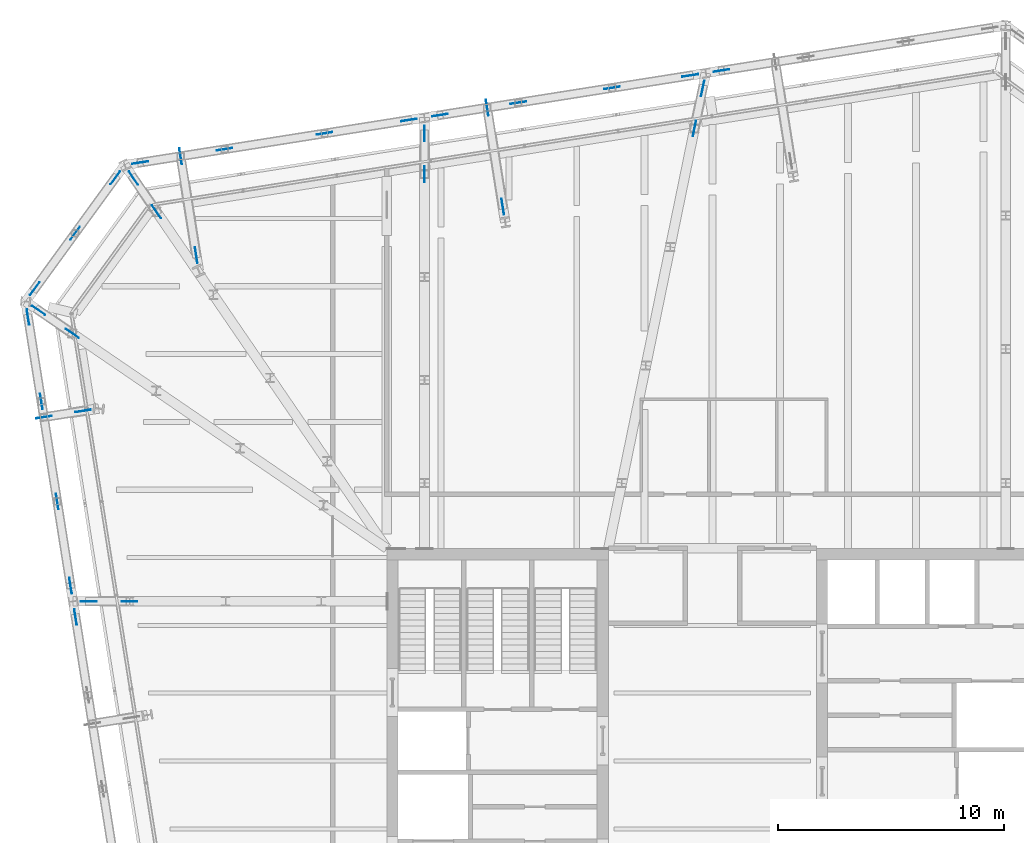
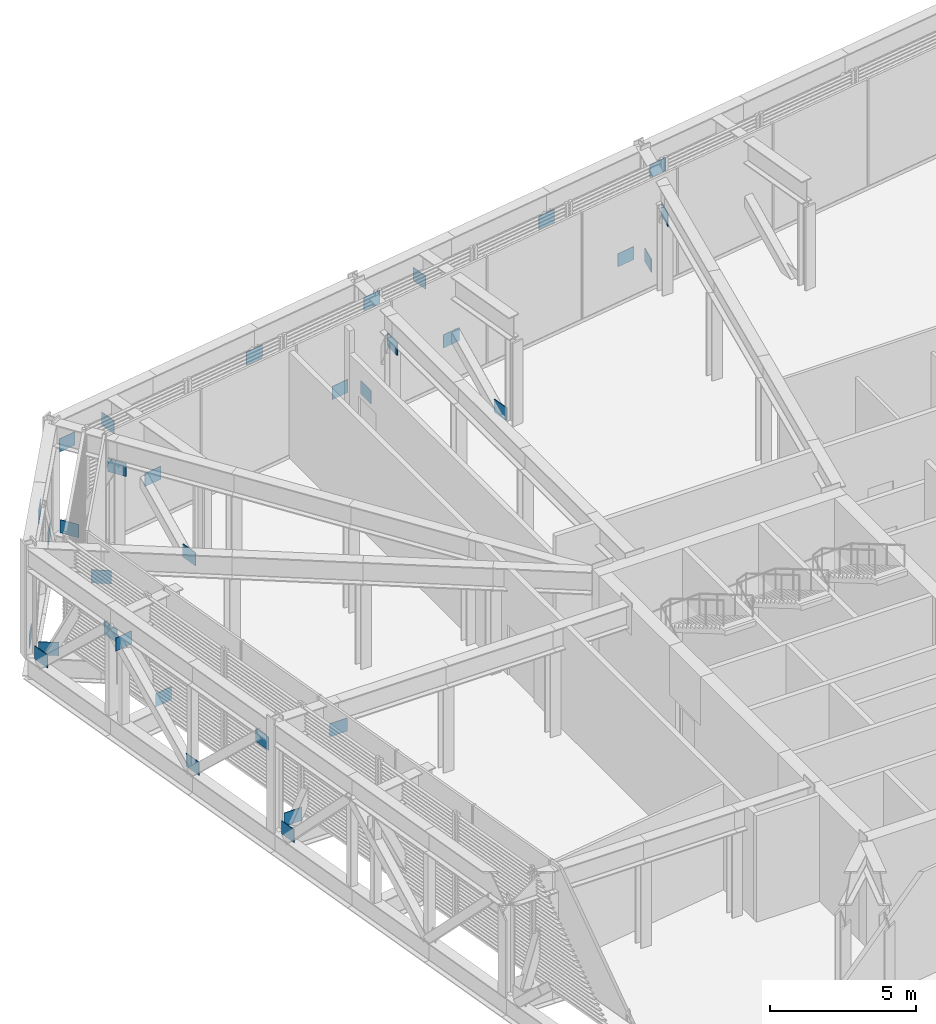
# One storey, part 31 of 35: 33 discrete accessories.
"""IFC4 building model written with IfcOpenShell, lengths in metres."""

from ifc_helpers import new_model, si_unit, direction, frame, origin, origin_2d, place, context, subcontext, project, spatial, rectangle, extrude, material, layer, layer_set, type_object, element, save


model = new_model("IFC4")

# Units and contexts
model_context = context("Model", 3, precision=1e-05, world=origin(), true_north=direction((0.0, 1.0)))
body_context = subcontext(model_context, "Body", "Model", "MODEL_VIEW")
ifc_project = project(units=[si_unit("LENGTHUNIT", "METRE"), si_unit("AREAUNIT", "SQUARE_METRE"), si_unit("VOLUMEUNIT", "CUBIC_METRE"), si_unit("PLANEANGLEUNIT", "RADIAN"), si_unit("MASSUNIT", "GRAM", prefix="KILO")], contexts=[model_context])

# Site, building, storey
site_placement = place(None, origin())
site = spatial("IfcSite", under=ifc_project, at=site_placement, CompositionType="ELEMENT")
building_placement = place(site_placement, origin())
building = spatial("IfcBuilding", under=site, at=building_placement, Name="Millrace Tower", CompositionType="ELEMENT")
storey_placement = place(building_placement, frame((0.0, 0.0, 200.10009765625)))
storey = spatial("IfcBuildingStorey", under=building, at=storey_placement, Name="L45", CompositionType="ELEMENT", Elevation=200.10009765625)

# Discrete accessories
ifc_material = material(Name="Steel ASTM A572 Grade 50", Category="steel")
ifc_layer = layer(ifc_material, 0.02490234375)
ifc_layer_set = layer_set([ifc_layer], Name="Steel ASTM A572 Grade 50")
discrete_accessory_type = type_object("IfcDiscreteAccessoryType", Name="Truss gusset plate 700x550x25", PredefinedType="BRACKET", material=ifc_layer_set)
discrete_accessory_1_placement = place(storey_placement, frame((0.057373046875, 30.482421875, 3.217529296875), z_axis=(0.987655240593, 0.156643307321, 0.0), x_axis=(-0.156643307321, 0.987655240593, 0.0)))
element("IfcDiscreteAccessory", 1, at=discrete_accessory_1_placement, inside=storey, type_object=discrete_accessory_type, Name="Truss gusset plate TRS-L45-R10-D03 head", PredefinedType="BRACKET", context=body_context, shape_type="SweptSolid", body=[
    extrude(rectangle(XDim=0.02490234375, YDim=0.550048828125, at=origin_2d()), origin(), (0.0, 0.0, 1.0), 0.69970703125),
])
for number, where, z_axis, x_axis, name in (
    (2, (-1.325439453125, 30.263427734375, 0.114990234375), (0.987663796475, 0.156589351913, 0.0), (-0.156589351913, 0.987663796475, 0.0), "Truss gusset plate TRS-L45-R11-D01 foot"),
    (3, (-4.782470703125, 29.716064453125, 3.217529296875), (0.987717677878, 0.156249124184, 0.0), (-0.156249124184, 0.987717677878, 0.0), "Truss gusset plate TRS-L45-R11-D01 head"),
    (4, (-8.9306640625, 29.058837890625, 0.114990234375), (0.987663796475, 0.156589351913, 0.0), (-0.156589351913, 0.987663796475, 0.0), "Truss gusset plate TRS-L45-R11-D02 foot"),
    (5, (-12.3876953125, 28.511474609375, 3.217529296875), (0.987717677878, 0.156249124184, 0.0), (-0.156249124184, 0.987717677878, 0.0), "Truss gusset plate TRS-L45-R11-D03 head"),
    (6, (-13.7705078125, 28.29248046875, 0.114990234375), (0.987717677878, 0.156249124184, 0.0), (-0.156249124184, 0.987717677878, 0.0), "Truss gusset plate TRS-L45-R12-D01 foot"),
    (7, (-17.5, 27.70166015625, 3.217529296875), (0.987663796475, 0.156589351913, 0.0), (-0.156589351913, 0.987663796475, 0.0), "Truss gusset plate TRS-L45-R12-D01 head"),
    (8, (-21.921142578125, 27.00146484375, 0.114990234375), (0.987663796475, 0.156589351913, 0.0), (-0.156589351913, 0.987663796475, 0.0), "Truss gusset plate TRS-L45-R12-D02 foot"),
    (9, (-25.650634765625, 26.410888671875, 3.217529296875), (0.987717677878, 0.156249124184, 0.0), (-0.156249124184, 0.987717677878, 0.0), "Truss gusset plate TRS-L45-R12-D03 head"),
    (10, (-26.613525390625, 25.506591796875, 0.114990234375), (0.587819016355, 0.808992462271, 0.0), (-0.808992462271, 0.587819016355, 0.0), "Truss gusset plate TRS-L45-R13-D01 foot"),
    (11, (-28.39306640625, 23.05712890625, 3.217529296875), (0.587653156371, 0.809112951205, 0.0), (-0.809112951205, 0.587653156371, 0.0), "Truss gusset plate TRS-L45-R13-D01 head"),
    (12, (-30.172607421875, 20.60791015625, 0.114990234375), (0.587819016355, 0.808992462271, 0.0), (-0.808992462271, 0.587819016355, 0.0), "Truss gusset plate TRS-L45-R13-D02 foot"),
    (13, (-30.32373046875, 19.97900390625, 0.114990234375), (0.156589351913, -0.987663796475, 0.0), (0.987663796475, 0.156589351913, 0.0), "Truss gusset plate TRS-L45-R14-D01 foot"),
):
    element("IfcDiscreteAccessory", number, at=place(storey_placement, frame(where, z_axis=z_axis, x_axis=x_axis)), inside=storey, type_object=discrete_accessory_type, Name=name, PredefinedType="BRACKET", context=body_context, shape_type="SweptSolid", body=[
        extrude(rectangle(XDim=0.02490234375, YDim=0.550048828125, at=origin_2d()), origin(), (0.0, 0.0, 1.0), 0.699951171875),
    ])
discrete_accessory_2_placement = place(storey_placement, frame((-29.73291015625, 16.249267578125, 3.217529296875), z_axis=(0.156643307321, -0.987655240593, 0.0), x_axis=(0.987655240593, 0.156643307321, 0.0)))
element("IfcDiscreteAccessory", 14, at=discrete_accessory_2_placement, inside=storey, type_object=discrete_accessory_type, Name="Truss gusset plate TRS-L45-R14-D01 head", PredefinedType="BRACKET", context=body_context, shape_type="SweptSolid", body=[
    extrude(rectangle(XDim=0.02490234375, YDim=0.550048828125, at=origin_2d()), origin(), (0.0, 0.0, 1.0), 0.69970703125),
])
for number, where, z_axis, x_axis, name in (
    (15, (-29.03271484375, 11.828369140625, 0.114990234375), (0.156589351913, -0.987663796475, 0.0), (0.987663796475, 0.156589351913, 0.0), "Truss gusset plate TRS-L45-R14-D02 foot"),
    (16, (-28.44189453125, 8.0986328125, 3.217529296875), (0.156249124184, -0.987717677878, 0.0), (0.987717677878, 0.156249124184, 0.0), "Truss gusset plate TRS-L45-R14-D03 head"),
    (17, (-28.222900390625, 6.7158203125, 0.114990234375), (0.156249124184, -0.987717677878, 0.0), (0.987717677878, 0.156249124184, 0.0), "Truss gusset plate TRS-L45-R15-D01 foot"),
    (18, (-0.499267578125, 29.399169921875, 0.114990234375), (0.200875494925, 0.979616779939, 0.0), (-0.979616779939, 0.200875494925, 0.0), "Truss gusset plate TRS-L45-C11-D01 foot"),
    (19, (-0.86083984375, 27.6357421875, 3.217529296875), (0.200875494925, 0.979616779939, 0.0), (-0.979616779939, 0.200875494925, 0.0), "Truss gusset plate TRS-L45-C11-D01 head"),
    (20, (-12.7333984375, 27.40673828125, 0.114990234375), (0.0, 1.0, 0.0), (-1.0, 0.0, 0.0), "Truss gusset plate TRS-L45-C12-D01 foot"),
    (21, (-12.7333984375, 25.606689453125, 3.217529296875), (0.0, 1.0, 0.0), (-1.0, 0.0, 0.0), "Truss gusset plate TRS-L45-C12-D01 head"),
    (22, (-25.798828125, 26.067138671875, 0.114990234375), (0.564321264576, -0.82555527395, 0.0), (0.82555527395, 0.564321264576, 0.0), "Truss gusset plate TRS-L45-C13-D01 foot"),
):
    element("IfcDiscreteAccessory", number, at=place(storey_placement, frame(where, z_axis=z_axis, x_axis=x_axis)), inside=storey, type_object=discrete_accessory_type, Name=name, PredefinedType="BRACKET", context=body_context, shape_type="SweptSolid", body=[
        extrude(rectangle(XDim=0.02490234375, YDim=0.550048828125, at=origin_2d()), origin(), (0.0, 0.0, 1.0), 0.699951171875),
    ])
discrete_accessory_3_placement = place(storey_placement, frame((-24.78271484375, 24.581298828125, 3.217529296875), z_axis=(0.564558900442, -0.825392784032, 0.0), x_axis=(0.825392784032, 0.564558900442, 0.0)))
element("IfcDiscreteAccessory", 23, at=discrete_accessory_3_placement, inside=storey, type_object=discrete_accessory_type, Name="Truss gusset plate TRS-L45-C13-D01 head", PredefinedType="BRACKET", context=body_context, shape_type="SweptSolid", body=[
    extrude(rectangle(XDim=0.02490234375, YDim=0.550048828125, at=origin_2d()), origin(), (0.0, 0.0, 1.0), 0.7001953125),
])
for number, where, z_axis, x_axis, name in (
    (24, (-30.089599609375, 20.127197265625, 0.114990234375), (0.82555527395, -0.564321264576, 0.0), (0.564321264576, 0.82555527395, 0.0), "Truss gusset plate TRS-L45-C14-D01 foot"),
    (25, (-28.603515625, 19.111083984375, 3.217529296875), (0.82555527395, -0.564321264576, 0.0), (0.564321264576, 0.82555527395, 0.0), "Truss gusset plate TRS-L45-C14-D01 head"),
    (26, (-27.927734375, 7.0615234375, 0.114990234375), (1.0, 0.0, 0.0), (0.0, 1.0, 0.0), "Truss gusset plate TRS-L45-C15-D01 foot"),
    (27, (-26.127685546875, 7.0615234375, 3.217529296875), (1.0, 0.0, 0.0), (0.0, 1.0, 0.0), "Truss gusset plate TRS-L45-C15-D01 head"),
    (28, (-9.323974609375, 24.864013671875, 0.114990234375), (0.156589351913, -0.987663796475, 0.0), (0.987663796475, 0.156589351913, 0.0), "Truss gusset plate TRS-L45-B-C-X12-D01 foot"),
    (29, (-10.01708984375, 29.2412109375, 3.217529296875), (0.156249124184, -0.987717677878, 0.0), (0.987717677878, 0.156249124184, 0.0), "Truss gusset plate TRS-L45-B-C-X12-D01 head"),
    (30, (-22.88330078125, 22.716552734375, 0.114990234375), (0.156589351913, -0.987663796475, 0.0), (0.987663796475, 0.156589351913, 0.0), "Truss gusset plate TRS-L45-B-C-X13-D01 foot"),
    (31, (-23.57666015625, 27.093505859375, 3.217529296875), (0.156589351913, -0.987663796475, 0.0), (0.987663796475, 0.156589351913, 0.0), "Truss gusset plate TRS-L45-B-C-X13-D01 head"),
    (32, (-28.1796875, 15.4267578125, 0.114990234375), (0.987717677878, 0.156249124184, 0.0), (-0.156249124184, 0.987717677878, 0.0), "Truss gusset plate TRS-L45-B-C-X14-D01 foot"),
    (33, (-29.91357421875, 15.152099609375, 3.217529296875), (0.987663796475, 0.156589351913, 0.0), (-0.156589351913, 0.987663796475, 0.0), "Truss gusset plate TRS-L45-B-C-X14-D01 head"),
):
    element("IfcDiscreteAccessory", number, at=place(storey_placement, frame(where, z_axis=z_axis, x_axis=x_axis)), inside=storey, type_object=discrete_accessory_type, Name=name, PredefinedType="BRACKET", context=body_context, shape_type="SweptSolid", body=[
        extrude(rectangle(XDim=0.02490234375, YDim=0.550048828125, at=origin_2d()), origin(), (0.0, 0.0, 1.0), 0.699951171875),
    ])

save(model, "model.ifc")
